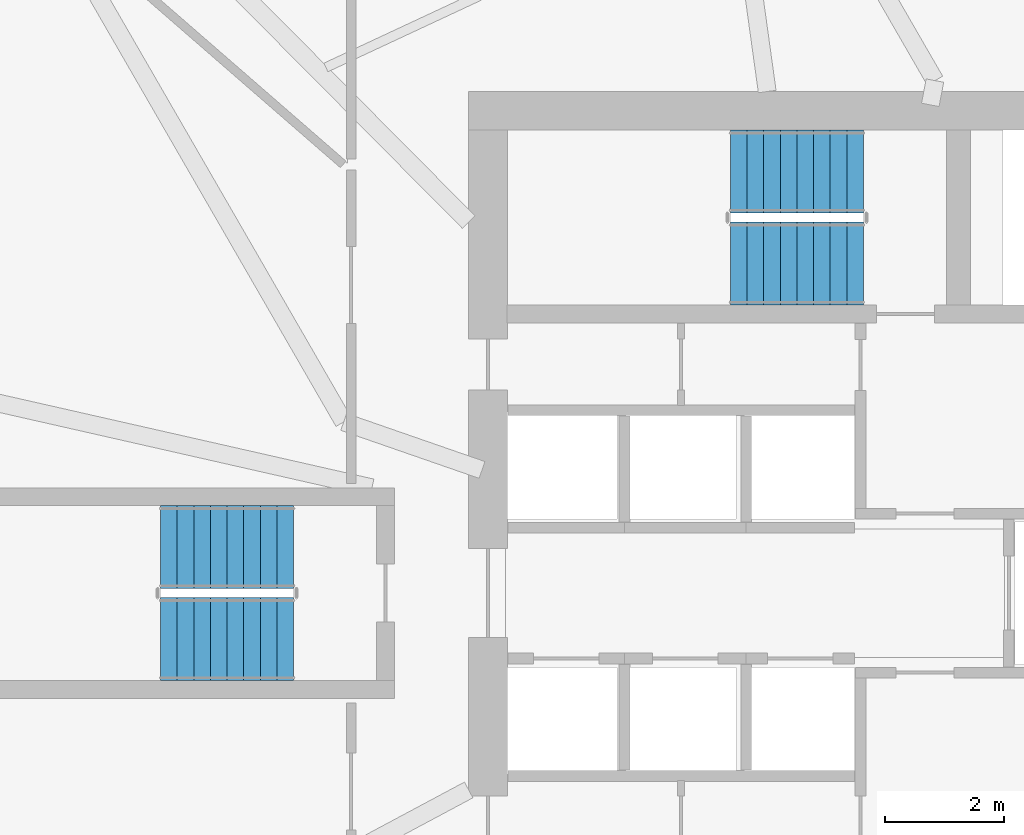
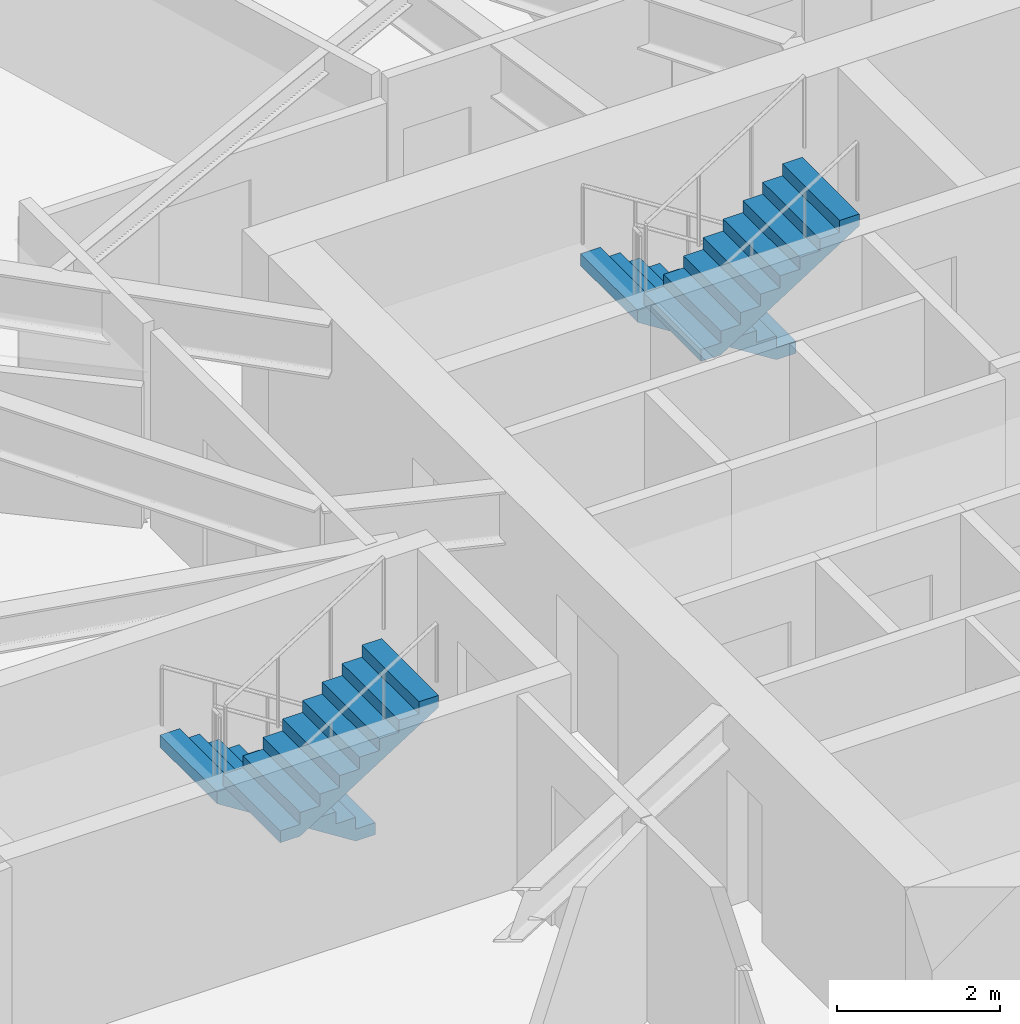
# One storey, part 12 of 16: 4 stair flights, 2 elements without a shape of their own.
"""IFC4 building model written with IfcOpenShell, lengths in metres."""

from ifc_helpers import new_model, si_unit, direction, frame, origin, place, context, subcontext, project, spatial, polyline, outline, extrude, source, transform, mapped, material, type_object, element, aggregate, save


model = new_model("IFC4")

# Units and contexts
model_context = context("Model", 3, precision=1e-05, world=origin(), true_north=direction((0.0, 1.0)))
body_context = subcontext(model_context, "Body", "Model", "MODEL_VIEW")
ifc_project = project(units=[si_unit("LENGTHUNIT", "METRE"), si_unit("AREAUNIT", "SQUARE_METRE"), si_unit("VOLUMEUNIT", "CUBIC_METRE"), si_unit("PLANEANGLEUNIT", "RADIAN"), si_unit("MASSUNIT", "GRAM", prefix="KILO")], contexts=[model_context])

# Site, building, storey
site_placement = place(None, origin())
site = spatial("IfcSite", under=ifc_project, at=site_placement, CompositionType="ELEMENT")
building_placement = place(site_placement, origin())
building = spatial("IfcBuilding", under=site, at=building_placement, Name="Qafzar Sky-Pleat Residences", CompositionType="ELEMENT")
storey_placement = place(building_placement, frame((0.0, 0.0, 80.0)))
storey = spatial("IfcBuildingStorey", under=building, at=storey_placement, Name="L23", CompositionType="ELEMENT", Elevation=80.0)

# Stair, stair flights
ifc_material = material(Name="Concrete C40/50", Category="concrete")
stair_type = type_object("IfcStairType", Name="STAIR-H320", PredefinedType="HALF_TURN_STAIR", material=ifc_material)
stair_1_placement = place(storey_placement, origin())
stair_1 = element("IfcStair", 1, at=stair_1_placement, inside=storey, type_object=stair_type, Name="L23 Protected Exit Stair ST2", PredefinedType="HALF_TURN_STAIR")
stair_flight_type = type_object("IfcStairFlightType", Name="FLIGHT-H320", PredefinedType="STRAIGHT", material=ifc_material)
shared_shape = source(origin(), body_context, "Body", "SweptSolid", [
    extrude(outline(polyline([(0.0, 0.0), (0.0, 0.177734375), (0.280029296875, 0.177734375), (0.280029296875, 0.35546875), (0.56005859375, 0.35546875), (0.56005859375, 0.533447265625), (0.840087890625, 0.533447265625), (0.840087890625, 0.711181640625), (1.1201171875, 0.711181640625), (1.1201171875, 0.888916015625), (1.39990234375, 0.888916015625), (1.39990234375, 1.066650390625), (1.679931640625, 1.066650390625), (1.679931640625, 1.244384765625), (1.9599609375, 1.244384765625), (1.9599609375, 1.422119140625), (2.239990234375, 1.422119140625), (2.239990234375, 1.60009765625), (2.239990234375, 1.24462890625), (0.27978515625, 0.0), (0.0, 0.0)])), frame((0.0, 0.699951171875, 0.0), z_axis=(0.0, -1.0, 0.0), x_axis=(1.0, 0.0, 0.0)), (0.0, 0.0, 1.0), 1.39990234375),
])
stair_flight_1_placement = place(storey_placement, frame((30.800048828125, 33.10009765625, 0.0), z_axis=(0.0, 0.0, 1.0), x_axis=(-1.0, 0.0, 0.0)))
stair_flight_1 = element("IfcStairFlight", 2, at=stair_flight_1_placement, type_object=stair_flight_type, Name="ST2 flight 1", NumberOfRisers=9, NumberOfTreads=8, PredefinedType="STRAIGHT", RiserHeight=0.177777778, TreadLength=0.28, context=body_context, shape_type="MappedRepresentation", body=[
    mapped(shared_shape, transform((0.0, 0.0, 0.0), x_axis=(1.0, 0.0, 0.0), y_axis=(0.0, 1.0, 0.0), z_axis=(0.0, 0.0, 1.0), scale=1.0)),
])
stair_flight_2_placement = place(storey_placement, frame((28.56005859375, 31.550048828125, 1.60009765625), z_axis=(0.0, 0.0, 1.0), x_axis=(1.0, 0.0, 0.0)))
stair_flight_2 = element("IfcStairFlight", 3, at=stair_flight_2_placement, type_object=stair_flight_type, Name="ST2 flight 2", NumberOfRisers=9, NumberOfTreads=8, PredefinedType="STRAIGHT", RiserHeight=0.177777778, TreadLength=0.28, context=body_context, shape_type="MappedRepresentation", body=[
    mapped(shared_shape, transform((0.0, 0.0, 0.0), x_axis=(1.0, 0.0, 0.0), y_axis=(0.0, 1.0, 0.0), z_axis=(0.0, 0.0, 1.0), scale=1.0)),
])
aggregate(stair_1, [stair_flight_1, stair_flight_2])

stair_2_placement = place(storey_placement, origin())
stair_2 = element("IfcStair", 4, at=stair_2_placement, inside=storey, type_object=stair_type, Name="L23 Protected Exit Stair ST3", PredefinedType="HALF_TURN_STAIR")
stair_flight_3_placement = place(storey_placement, frame((21.199951171875, 26.77490234375, 0.0), z_axis=(0.0, 0.0, 1.0), x_axis=(-1.0, 0.0, 0.0)))
stair_flight_3 = element("IfcStairFlight", 5, at=stair_flight_3_placement, type_object=stair_flight_type, Name="ST3 flight 1", NumberOfRisers=9, NumberOfTreads=8, PredefinedType="STRAIGHT", RiserHeight=0.177777778, TreadLength=0.28, context=body_context, shape_type="MappedRepresentation", body=[
    mapped(shared_shape, transform((0.0, 0.0, 0.0), x_axis=(1.0, 0.0, 0.0), y_axis=(0.0, 1.0, 0.0), z_axis=(0.0, 0.0, 1.0), scale=1.0)),
])
stair_flight_4_placement = place(storey_placement, frame((18.9599609375, 25.22509765625, 1.60009765625), z_axis=(0.0, 0.0, 1.0), x_axis=(1.0, 0.0, 0.0)))
stair_flight_4 = element("IfcStairFlight", 6, at=stair_flight_4_placement, type_object=stair_flight_type, Name="ST3 flight 2", NumberOfRisers=9, NumberOfTreads=8, PredefinedType="STRAIGHT", RiserHeight=0.177777778, TreadLength=0.28, context=body_context, shape_type="MappedRepresentation", body=[
    mapped(shared_shape, transform((0.0, 0.0, 0.0), x_axis=(1.0, 0.0, 0.0), y_axis=(0.0, 1.0, 0.0), z_axis=(0.0, 0.0, 1.0), scale=1.0)),
])
aggregate(stair_2, [stair_flight_3, stair_flight_4])

save(model, "model.ifc")
